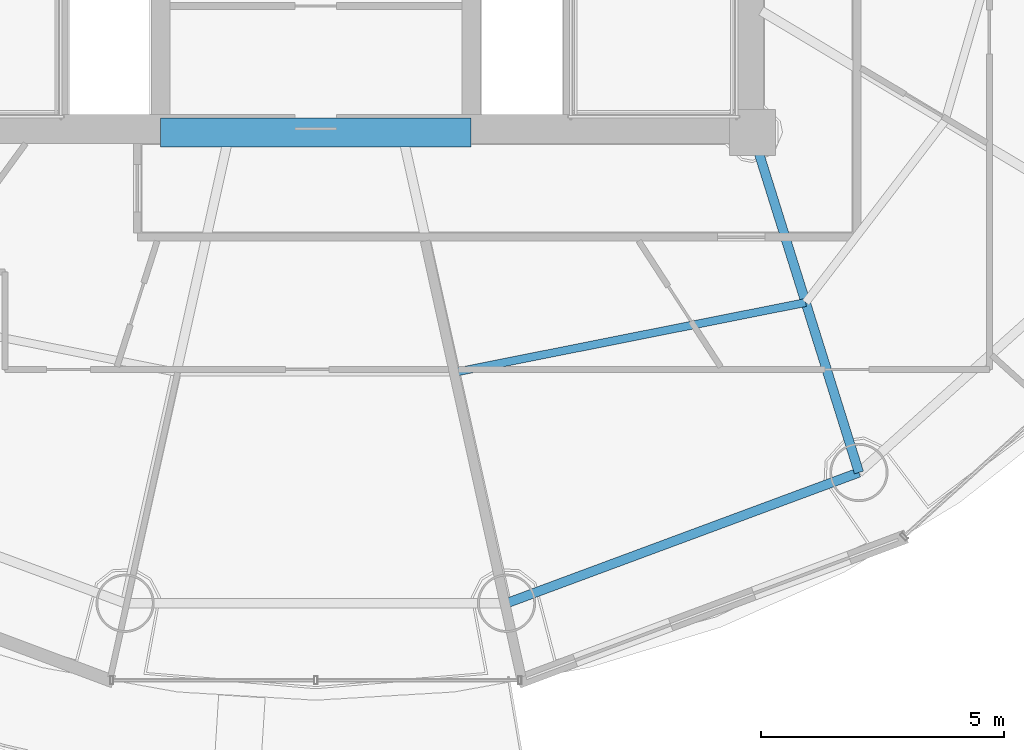
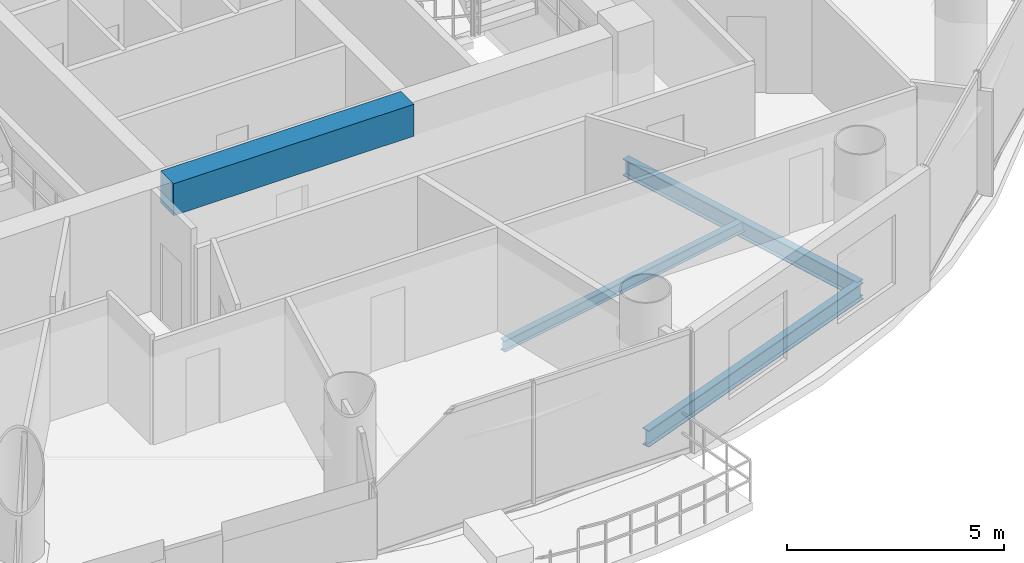
# One storey, part 6 of 27: 4 beams.
"""IFC4 building model written with IfcOpenShell, lengths in metres."""

from ifc_helpers import new_model, si_unit, direction, frame, origin, origin_2d, place, context, subcontext, project, spatial, rectangle, i_section, extrude, material, material_profile, profile_set, type_object, element, save


model = new_model("IFC4")

# Units and contexts
model_context = context("Model", 3, precision=1e-05, world=origin(), true_north=direction((-0.2419218956, 0.970295726276)))
body_context = subcontext(model_context, "Body", "Model", "MODEL_VIEW")
ifc_project = project(units=[si_unit("LENGTHUNIT", "METRE"), si_unit("AREAUNIT", "SQUARE_METRE"), si_unit("VOLUMEUNIT", "CUBIC_METRE"), si_unit("PLANEANGLEUNIT", "RADIAN"), si_unit("MASSUNIT", "GRAM", prefix="KILO")], contexts=[model_context])

# Site, building, storey
site_placement = place(None, origin())
site = spatial("IfcSite", under=ifc_project, at=site_placement, CompositionType="ELEMENT")
building_placement = place(site_placement, origin())
building = spatial("IfcBuilding", under=site, at=building_placement, Name="Cobrevalo Terracotta Tower", CompositionType="ELEMENT")
storey_placement = place(building_placement, frame((0.0, 0.0, 198.60009765625)))
storey = spatial("IfcBuildingStorey", under=building, at=storey_placement, Name="L52", CompositionType="ELEMENT", Elevation=198.60009765625)

# Beams
ifc_material_1 = material(Name="Concrete C60", Category="concrete")
ifc_material_profile_1 = material_profile(ifc_material_1, rectangle(XDim=0.60009765625, YDim=0.89990234375, at=origin_2d()), Name="RC CB 600x900")
ifc_profile_set_1 = profile_set([ifc_material_profile_1], Name="Concrete C60")
beam_type_1 = type_object("IfcBeamType", Name="Structural Beam RC CB 600x900 (Concrete C60)", PredefinedType="BEAM", material=ifc_profile_set_1)
beam_1_placement = place(storey_placement, frame((34.800048828125, 18.800048828125, 2.98486328125), z_axis=(1.0, 0.0, 0.0), x_axis=(0.0, 1.0, 0.0)))
element("IfcBeam", 1, at=beam_1_placement, inside=storey, type_object=beam_type_1, Name="L52 core coupling beam 1", PredefinedType="BEAM", context=body_context, shape_type="SweptSolid", body=[
    extrude(rectangle(XDim=0.60009765625, YDim=0.89990234375, at=origin_2d()), origin(), (0.0, 0.0, 1.0), 6.39990234375),
])
ifc_material_2 = material(Name="Steel S355", Category="steel")
ifc_material_profile_2 = material_profile(ifc_material_2, i_section(OverallWidth=0.194091796875, OverallDepth=0.468994140625, WebThickness=0.011474609375, FlangeThickness=0.0205078125, at=origin_2d()), Name="W 460x106")
ifc_profile_set_2 = profile_set([ifc_material_profile_2], Name="Steel S355")
beam_type_2 = type_object("IfcBeamType", Name="Structural Beam W 460x106 (Steel S355)", PredefinedType="BEAM", material=ifc_profile_set_2)
beam_2_placement = place(storey_placement, frame((49.19482421875, 11.7919921875, -0.49951171875), z_axis=(-0.298871212691, 0.954293454984, 0.0), x_axis=(-0.954293454984, -0.298871212691, 0.0)))
element("IfcBeam", 2, at=beam_2_placement, inside=storey, type_object=beam_type_2, Name="L52 radial floor girder 14", PredefinedType="BEAM", context=body_context, shape_type="SweptSolid", body=[
    extrude(i_section(OverallWidth=0.194091796875, OverallDepth=0.468994140625, WebThickness=0.011474609375, FlangeThickness=0.0205078125, at=origin_2d()), origin(), (0.0, 0.0, 1.0), 7.34375),
])
ifc_material_profile_3 = material_profile(ifc_material_2, i_section(OverallWidth=0.1650390625, OverallDepth=0.31005859375, WebThickness=0.005859375, FlangeThickness=0.009765625, at=origin_2d()), Name="W 310x38.7")
ifc_profile_set_3 = profile_set([ifc_material_profile_3], Name="Steel S355")
beam_type_3 = type_object("IfcBeamType", Name="Structural Joist W 310x38.7 (Steel S355)", PredefinedType="JOIST", material=ifc_profile_set_3)
beam_3_placement = place(storey_placement, frame((40.873779296875, 13.8583984375, -0.420166015625), z_axis=(0.980768907748, 0.195172614871, 0.0), x_axis=(-0.195172614871, 0.980768907748, 0.0)))
element("IfcBeam", 3, at=beam_3_placement, inside=storey, type_object=beam_type_3, Name="L52 circumferential secondary floor joist 13", PredefinedType="JOIST", context=body_context, shape_type="SweptSolid", body=[
    extrude(i_section(OverallWidth=0.1650390625, OverallDepth=0.31005859375, WebThickness=0.005859375, FlangeThickness=0.009765625, at=origin_2d()), origin(), (0.0, 0.0, 1.0), 7.365234375),
])
ifc_material_profile_4 = material_profile(ifc_material_2, i_section(OverallWidth=0.194091796875, OverallDepth=0.468994140625, WebThickness=0.011474609375, FlangeThickness=0.0205078125, at=origin_2d()), Name="W 460x106")
ifc_profile_set_4 = profile_set([ifc_material_profile_4], Name="Steel S355")
beam_type_4 = type_object("IfcBeamType", Name="Structural Spandrel W 460x106 (Steel S355)", PredefinedType="SPANDREL", material=ifc_profile_set_4)
beam_4_placement = place(storey_placement, frame((41.93115234375, 9.096923828125, -0.49951171875), z_axis=(0.937545996665, 0.347861328892, 0.0), x_axis=(-0.347861328892, 0.937545996665, 0.0)))
element("IfcBeam", 4, at=beam_4_placement, inside=storey, type_object=beam_type_4, Name="L52 perimeter ring spandrel 13", PredefinedType="SPANDREL", context=body_context, shape_type="SweptSolid", body=[
    extrude(i_section(OverallWidth=0.194091796875, OverallDepth=0.468994140625, WebThickness=0.011474609375, FlangeThickness=0.0205078125, at=origin_2d()), origin(), (0.0, 0.0, 1.0), 7.74755859375),
])

save(model, "model.ifc")
